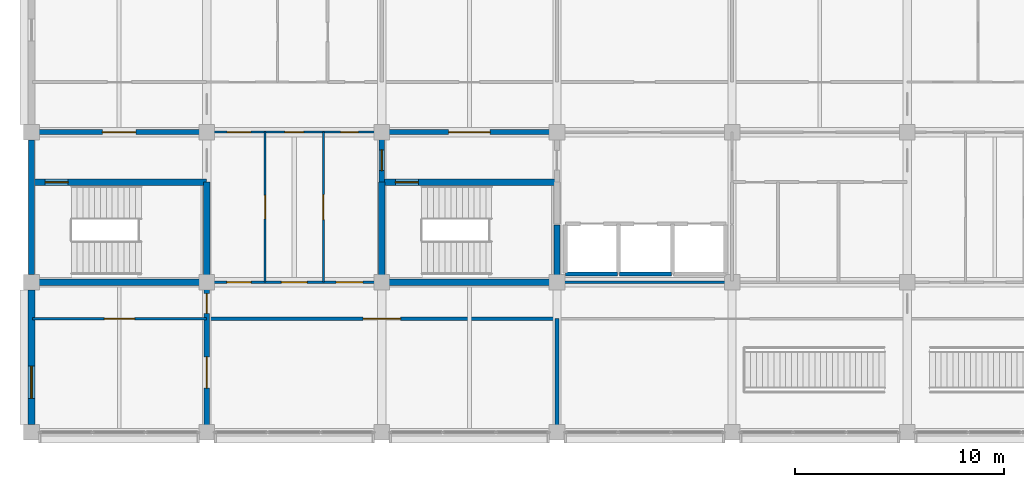
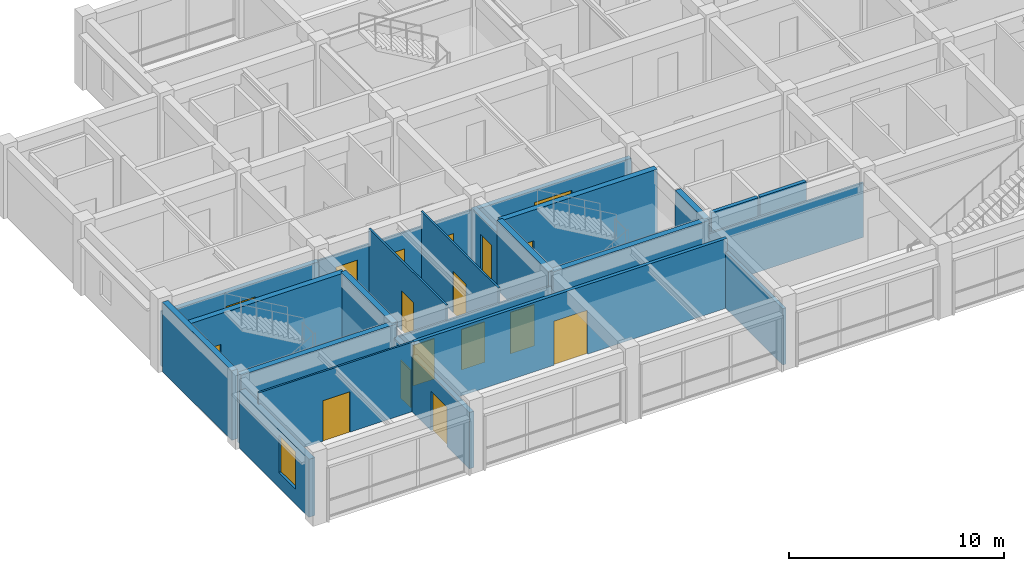
# One storey, part 14 of 27: 23 walls, 17 doors, 1 window, 18 openings.
"""IFC4 building model written with IfcOpenShell, lengths in metres."""

from ifc_helpers import new_model, si_unit, direction, frame, frame_2d, origin, place, context, subcontext, project, spatial, rectangle, extrude, material, layer, layer_set, type_object, element, fill, save


model = new_model("IFC4")

# Units and contexts
model_context = context("Model", 3, precision=1e-05, world=origin(), true_north=direction((0.0, 1.0)))
body_context = subcontext(model_context, "Body", "Model", "MODEL_VIEW")
ifc_project = project(units=[si_unit("LENGTHUNIT", "METRE"), si_unit("AREAUNIT", "SQUARE_METRE"), si_unit("VOLUMEUNIT", "CUBIC_METRE"), si_unit("PLANEANGLEUNIT", "RADIAN"), si_unit("MASSUNIT", "GRAM", prefix="KILO")], contexts=[model_context])

# Site, building, storey
site_placement = place(None, origin())
site = spatial("IfcSite", under=ifc_project, at=site_placement, CompositionType="ELEMENT")
building_placement = place(site_placement, origin())
building = spatial("IfcBuilding", under=site, at=building_placement, Name="Chengyuan Square Courthouse", CompositionType="ELEMENT")
storey_placement = place(building_placement, frame((0.0, 0.0, 39.300048828125)))
storey = spatial("IfcBuildingStorey", under=building, at=storey_placement, Name="L09", CompositionType="ELEMENT", Elevation=39.300048828125)

# Wall, opening, window
ifc_material_1 = material(Name="Concrete C40", Category="concrete")
ifc_layer_1 = layer(ifc_material_1, 0.320068359375)
ifc_layer_set_1 = layer_set([ifc_layer_1], Name="Concrete C40")
wall_type_1 = type_object("IfcWallType", Name="WL-EW3", PredefinedType="STANDARD", material=ifc_layer_set_1)
wall_1_placement = place(storey_placement, frame((42.0, 79.570068359375, 0.0), z_axis=(0.0, 0.0, 1.0), x_axis=(0.0, 1.0, 0.0)))
wall_1 = element("IfcWall", 1, at=wall_1_placement, inside=storey, type_object=wall_type_1, Name="Exterior Wall WL-L09-E412", PredefinedType="STANDARD", context=body_context, shape_type="SweptSolid", body=[
    extrude(rectangle(XDim=6.4599609375, YDim=0.320068359375, at=frame_2d((3.22998046875, 0.0))), origin(), (0.0, 0.0, 1.0), 3.300048828125),
])
opening_1_placement = place(wall_1_placement, frame((1.2548828125, 0.0, 0.85009765625)))
opening_1 = element("IfcOpeningElement", 2, at=opening_1_placement, cuts=wall_1, Name="Opening WN-160", PredefinedType="OPENING", context=body_context, shape_type="SweptSolid", body=[
    extrude(rectangle(XDim=1.550048828125, YDim=2.1201171875, at=frame_2d((0.77490234375, 1.06005859375))), frame((0.0, 0.172119140625, 0.0), z_axis=(0.0, -1.0, 0.0), x_axis=(1.0, 0.0, 0.0)), (0.0, 0.0, 1.0), 0.343994140625),
])
ifc_material_2 = material(Name="Thermally Broken Aluminium Triple Low-E Window", Category="aluminium")
window_type = type_object("IfcWindowType", Name="WT-30", PartitioningType="SINGLE_PANEL", PredefinedType="WINDOW", material=ifc_material_2)
window_placement = place(opening_1_placement, origin())
window = element("IfcWindow", 3, at=window_placement, inside=storey, type_object=window_type, Name="Facade Window WN-160", OverallHeight=2.1201171875, OverallWidth=1.550048828125, PartitioningType="SINGLE_PANEL", PredefinedType="WINDOW", context=body_context, shape_type="SweptSolid", body=[
    extrude(rectangle(XDim=1.550048828125, YDim=2.1201171875, at=frame_2d((0.77490234375, 1.06005859375))), frame((0.0, 0.030029296875, 0.0), z_axis=(0.0, -1.0, 0.0), x_axis=(1.0, 0.0, 0.0)), (0.0, 0.0, 1.0), 0.06005859375),
])
fill(opening_1, window)

# Wall, opening, door
ifc_layer_2 = layer(ifc_material_1, 0.25)
ifc_layer_set_2 = layer_set([ifc_layer_2], Name="Concrete C40")
wall_type_2 = type_object("IfcWallType", Name="WL-FW1", PredefinedType="STANDARD", material=ifc_layer_set_2)
wall_2_placement = place(storey_placement, frame((42.0400390625, 93.60009765625, 0.0), z_axis=(0.0, 0.0, 1.0), x_axis=(1.0, 0.0, 0.0)))
wall_2 = element("IfcWall", 4, at=wall_2_placement, inside=storey, type_object=wall_type_2, Name="Interior Wall WL-L09-I3112", PredefinedType="STANDARD", context=body_context, shape_type="SweptSolid", body=[
    extrude(rectangle(XDim=8.35986328125, YDim=0.25, at=frame_2d((4.179931640625, 0.0))), origin(), (0.0, 0.0, 1.0), 3.099853515625),
])
opening_2_placement = place(wall_2_placement, frame((3.360107421875, 0.0, 0.0)))
opening_2 = element("IfcOpeningElement", 5, at=opening_2_placement, cuts=wall_2, Name="Opening DR-2651", PredefinedType="OPENING", context=body_context, shape_type="SweptSolid", body=[
    extrude(rectangle(XDim=1.60009765625, YDim=2.300048828125, at=frame_2d((0.800048828125, 1.14990234375))), frame((0.0, 0.136962890625, 0.0), z_axis=(0.0, -1.0, 0.0), x_axis=(1.0, 0.0, 0.0)), (0.0, 0.0, 1.0), 0.27392578125),
])
ifc_material_3 = material(Name="Steel Q235B Glazed Fire Door", Category="steel")
door_type_1 = type_object("IfcDoorType", Name="DT-17", OperationType="DOUBLE_DOOR_SINGLE_SWING", PredefinedType="DOOR", material=ifc_material_3)
door_1_placement = place(opening_2_placement, frame((1.60009765625, 0.0, 0.0), z_axis=(0.0, 0.0, 1.0), x_axis=(-1.0, 0.0, 0.0)))
door_1 = element("IfcDoor", 6, at=door_1_placement, inside=storey, type_object=door_type_1, Name="Interior Door DR-2651", OperationType="DOUBLE_DOOR_SINGLE_SWING", OverallHeight=2.300048828125, OverallWidth=1.60009765625, PredefinedType="DOOR", context=body_context, shape_type="SweptSolid", body=[
    extrude(rectangle(XDim=1.60009765625, YDim=2.300048828125, at=frame_2d((0.800048828125, 1.14990234375))), frame((0.0, 0.02490234375, 0.0), z_axis=(0.0, -1.0, 0.0), x_axis=(1.0, 0.0, 0.0)), (0.0, 0.0, 1.0), 0.050048828125),
])
fill(opening_2, door_1)

wall_3_placement = place(storey_placement, frame((58.800048828125, 93.60009765625, 0.0), z_axis=(0.0, 0.0, 1.0), x_axis=(1.0, 0.0, 0.0)))
wall_3 = element("IfcWall", 7, at=wall_3_placement, inside=storey, type_object=wall_type_2, Name="Interior Wall WL-L09-I3114", PredefinedType="STANDARD", context=body_context, shape_type="SweptSolid", body=[
    extrude(rectangle(XDim=8.39990234375, YDim=0.25, at=frame_2d((4.199951171875, 0.0))), origin(), (0.0, 0.0, 1.0), 3.099853515625),
])
opening_3_placement = place(wall_3_placement, frame((3.199951171875, 0.0, 0.0)))
opening_3 = element("IfcOpeningElement", 8, at=opening_3_placement, cuts=wall_3, Name="Opening DR-2646", PredefinedType="OPENING", context=body_context, shape_type="SweptSolid", body=[
    extrude(rectangle(XDim=2.0, YDim=2.39990234375, at=frame_2d((1.0, 1.199951171875))), frame((0.0, 0.136962890625, 0.0), z_axis=(0.0, -1.0, 0.0), x_axis=(1.0, 0.0, 0.0)), (0.0, 0.0, 1.0), 0.27392578125),
])
door_type_2 = type_object("IfcDoorType", Name="DT-20", OperationType="DOUBLE_DOOR_SINGLE_SWING", PredefinedType="DOOR", material=ifc_material_3)
door_2_placement = place(opening_3_placement, frame((2.0, 0.0, 0.0), z_axis=(0.0, 0.0, 1.0), x_axis=(-1.0, 0.0, 0.0)))
door_2 = element("IfcDoor", 9, at=door_2_placement, inside=storey, type_object=door_type_2, Name="Interior Door DR-2646", OperationType="DOUBLE_DOOR_SINGLE_SWING", OverallHeight=2.39990234375, OverallWidth=2.0, PredefinedType="DOOR", context=body_context, shape_type="SweptSolid", body=[
    extrude(rectangle(XDim=2.0, YDim=2.39990234375, at=frame_2d((1.0, 1.199951171875))), frame((0.0, 0.02490234375, 0.0), z_axis=(0.0, -1.0, 0.0), x_axis=(1.0, 0.0, 0.0)), (0.0, 0.0, 1.0), 0.050048828125),
])
fill(opening_3, door_2)

# Wall, openings, doors
wall_4_placement = place(storey_placement, frame((50.39990234375, 79.239990234375, 0.0), z_axis=(0.0, 0.0, 1.0), x_axis=(0.0, 1.0, 0.0)))
wall_4 = element("IfcWall", 10, at=wall_4_placement, inside=storey, type_object=wall_type_2, Name="Interior Wall WL-L09-I3193", PredefinedType="STANDARD", context=body_context, shape_type="SweptSolid", body=[
    extrude(rectangle(XDim=7.159912109375, YDim=0.25, at=frame_2d((3.580078125, 0.0))), origin(), (0.0, 0.0, 1.0), 3.199951171875),
])
opening_4_placement = place(wall_4_placement, frame((5.66259765625, 0.0, 0.0)))
opening_4 = element("IfcOpeningElement", 11, at=opening_4_placement, cuts=wall_4, Name="Opening DR-2760", PredefinedType="OPENING", context=body_context, shape_type="SweptSolid", body=[
    extrude(rectangle(XDim=0.949951171875, YDim=2.14990234375, at=frame_2d((0.47509765625, 1.074951171875))), frame((0.0, 0.136962890625, 0.0), z_axis=(0.0, -1.0, 0.0), x_axis=(1.0, 0.0, 0.0)), (0.0, 0.0, 1.0), 0.27392578125),
])
opening_5_placement = place(wall_4_placement, frame((2.08251953125, 0.0, 0.0)))
opening_5 = element("IfcOpeningElement", 12, at=opening_5_placement, cuts=wall_4, Name="Opening DR-2769", PredefinedType="OPENING", context=body_context, shape_type="SweptSolid", body=[
    extrude(rectangle(XDim=1.5, YDim=2.25, at=frame_2d((0.75, 1.125))), frame((0.0, 0.136962890625, 0.0), z_axis=(0.0, -1.0, 0.0), x_axis=(1.0, 0.0, 0.0)), (0.0, 0.0, 1.0), 0.27392578125),
])
ifc_material_4 = material(Name="Steel Q235B Fire Door", Category="steel")
door_type_3 = type_object("IfcDoorType", Name="DT-12", OperationType="NOTDEFINED", PredefinedType="DOOR", material=ifc_material_4)
door_3_placement = place(opening_4_placement, origin())
door_3 = element("IfcDoor", 13, at=door_3_placement, inside=storey, type_object=door_type_3, Name="Interior Door DR-2760", OperationType="SINGLE_SWING_RIGHT", OverallHeight=2.14990234375, OverallWidth=0.949951171875, PredefinedType="DOOR", context=body_context, shape_type="SweptSolid", body=[
    extrude(rectangle(XDim=0.949951171875, YDim=2.14990234375, at=frame_2d((0.47509765625, 1.074951171875))), frame((0.0, 0.02490234375, 0.0), z_axis=(0.0, -1.0, 0.0), x_axis=(1.0, 0.0, 0.0)), (0.0, 0.0, 1.0), 0.050048828125),
])
fill(opening_4, door_3)
door_type_4 = type_object("IfcDoorType", Name="DT-19", OperationType="DOUBLE_DOOR_SINGLE_SWING", PredefinedType="DOOR", material=ifc_material_3)
door_4_placement = place(opening_5_placement, frame((1.5, 0.0, 0.0), z_axis=(0.0, 0.0, 1.0), x_axis=(-1.0, 0.0, 0.0)))
door_4 = element("IfcDoor", 14, at=door_4_placement, inside=storey, type_object=door_type_4, Name="Interior Door DR-2769", OperationType="DOUBLE_DOOR_SINGLE_SWING", OverallHeight=2.25, OverallWidth=1.5, PredefinedType="DOOR", context=body_context, shape_type="SweptSolid", body=[
    extrude(rectangle(XDim=1.5, YDim=2.25, at=frame_2d((0.75, 1.125))), frame((0.0, 0.02490234375, 0.0), z_axis=(0.0, -1.0, 0.0), x_axis=(1.0, 0.0, 0.0)), (0.0, 0.0, 1.0), 0.050048828125),
])
fill(opening_5, door_4)

# Wall, opening, door
wall_5_placement = place(storey_placement, frame((58.800048828125, 91.199951171875, 0.0), z_axis=(0.0, 0.0, 1.0), x_axis=(0.0, 1.0, 0.0)))
wall_5 = element("IfcWall", 15, at=wall_5_placement, inside=storey, type_object=wall_type_2, Name="Interior Wall WL-L09-I3206", PredefinedType="STANDARD", context=body_context, shape_type="SweptSolid", body=[
    extrude(rectangle(XDim=2.400146484375, YDim=0.25, at=frame_2d((1.2001953125, 0.0))), origin(), (0.0, 0.0, 1.0), 3.199951171875),
])
opening_6_placement = place(wall_5_placement, frame((0.552490234375, 0.0, 0.0)))
opening_6 = element("IfcOpeningElement", 16, at=opening_6_placement, cuts=wall_5, Name="Opening DR-2647", PredefinedType="OPENING", context=body_context, shape_type="SweptSolid", body=[
    extrude(rectangle(XDim=1.0, YDim=2.199951171875, at=frame_2d((0.5, 1.10009765625))), frame((0.0, 0.136962890625, 0.0), z_axis=(0.0, -1.0, 0.0), x_axis=(1.0, 0.0, 0.0)), (0.0, 0.0, 1.0), 0.27392578125),
])
door_type_5 = type_object("IfcDoorType", Name="DT-11", OperationType="NOTDEFINED", PredefinedType="DOOR", material=ifc_material_4)
door_5_placement = place(opening_6_placement, origin())
door_5 = element("IfcDoor", 17, at=door_5_placement, inside=storey, type_object=door_type_5, Name="Interior Door DR-2647", OperationType="SINGLE_SWING_LEFT", OverallHeight=2.199951171875, OverallWidth=1.0, PredefinedType="DOOR", context=body_context, shape_type="SweptSolid", body=[
    extrude(rectangle(XDim=1.0, YDim=2.199951171875, at=frame_2d((0.5, 1.10009765625))), frame((0.0, 0.02490234375, 0.0), z_axis=(0.0, -1.0, 0.0), x_axis=(1.0, 0.0, 0.0)), (0.0, 0.0, 1.0), 0.050048828125),
])
fill(opening_6, door_5)

ifc_material_5 = material(Name="Double-Stud Acoustic Gypsum Courtroom Partition")
ifc_layer_3 = layer(ifc_material_5, 0.179931640625)
ifc_layer_set_3 = layer_set([ifc_layer_3], Name="Double-Stud Acoustic Gypsum Courtroom Partition")
wall_type_3 = type_object("IfcWallType", Name="WL-PT1", PredefinedType="STANDARD", material=ifc_layer_set_3)
wall_6_placement = place(storey_placement, frame((50.39990234375, 84.64990234375, 0.0), z_axis=(0.0, 0.0, 1.0), x_axis=(1.0, 0.0, 0.0)))
wall_6 = element("IfcWall", 18, at=wall_6_placement, inside=storey, type_object=wall_type_3, Name="Interior Wall WL-L09-I3085", PredefinedType="STANDARD", context=body_context, shape_type="SweptSolid", body=[
    extrude(rectangle(XDim=16.800048828125, YDim=0.179931640625, at=frame_2d((8.39990234375, 0.0))), origin(), (0.0, 0.0, 1.0), 3.949951171875),
])
opening_7_placement = place(wall_6_placement, frame((7.5, 0.0, 0.0)))
opening_7 = element("IfcOpeningElement", 19, at=opening_7_placement, cuts=wall_6, Name="Opening DR-2763", PredefinedType="OPENING", context=body_context, shape_type="SweptSolid", body=[
    extrude(rectangle(XDim=1.800048828125, YDim=2.5, at=frame_2d((0.89990234375, 1.25))), frame((0.0, 0.10205078125, 0.0), z_axis=(0.0, -1.0, 0.0), x_axis=(1.0, 0.0, 0.0)), (0.0, 0.0, 1.0), 0.203857421875),
])
ifc_material_6 = material(Name="Acoustic Larch Veneer Double Door")
door_type_6 = type_object("IfcDoorType", Name="DT-21", OperationType="DOUBLE_DOOR_SINGLE_SWING", PredefinedType="DOOR", material=ifc_material_6)
door_6_placement = place(opening_7_placement, frame((1.800048828125, 0.0, 0.0), z_axis=(0.0, 0.0, 1.0), x_axis=(-1.0, 0.0, 0.0)))
door_6 = element("IfcDoor", 20, at=door_6_placement, inside=storey, type_object=door_type_6, Name="Interior Door DR-2763", OperationType="DOUBLE_DOOR_SINGLE_SWING", OverallHeight=2.5, OverallWidth=1.800048828125, PredefinedType="DOOR", context=body_context, shape_type="SweptSolid", body=[
    extrude(rectangle(XDim=1.800048828125, YDim=2.5, at=frame_2d((0.89990234375, 1.25))), frame((0.0, 0.02490234375, 0.0), z_axis=(0.0, -1.0, 0.0), x_axis=(1.0, 0.0, 0.0)), (0.0, 0.0, 1.0), 0.050048828125),
])
fill(opening_7, door_6)

# Wall
wall_7_placement = place(storey_placement, frame((67.199951171875, 79.239990234375, 0.0), z_axis=(0.0, 0.0, 1.0), x_axis=(0.0, 1.0, 0.0)))
element("IfcWall", 21, at=wall_7_placement, inside=storey, type_object=wall_type_3, Name="Interior Wall WL-L09-I3211", PredefinedType="STANDARD", context=body_context, shape_type="SweptSolid", body=[
    extrude(rectangle(XDim=5.409912109375, YDim=0.179931640625, at=frame_2d((2.705078125, 0.0))), origin(), (0.0, 0.0, 1.0), 3.199951171875),
])

# Wall, opening, door
ifc_material_7 = material(Name="Gypsum Plasterboard Acoustic Stud Partition")
ifc_layer_4 = layer(ifc_material_7, 0.10009765625)
ifc_layer_set_4 = layer_set([ifc_layer_4], Name="Gypsum Plasterboard Acoustic Stud Partition")
wall_type_4 = type_object("IfcWallType", Name="WL-PT6", PredefinedType="STANDARD", material=ifc_layer_set_4)
wall_8_placement = place(storey_placement, frame((42.0400390625, 84.64990234375, 0.0), z_axis=(0.0, 0.0, 1.0), x_axis=(1.0, 0.0, 0.0)))
wall_8 = element("IfcWall", 22, at=wall_8_placement, inside=storey, type_object=wall_type_4, Name="Interior Wall WL-L09-I3084", PredefinedType="STANDARD", context=body_context, shape_type="SweptSolid", body=[
    extrude(rectangle(XDim=8.35986328125, YDim=0.10009765625, at=frame_2d((4.179931640625, 0.0))), origin(), (0.0, 0.0, 1.0), 3.949951171875),
])
opening_8_placement = place(wall_8_placement, frame((3.455078125, 0.0, 0.0)))
opening_8 = element("IfcOpeningElement", 23, at=opening_8_placement, cuts=wall_8, Name="Opening DR-2761", PredefinedType="OPENING", context=body_context, shape_type="SweptSolid", body=[
    extrude(rectangle(XDim=1.449951171875, YDim=2.300048828125, at=frame_2d((0.72509765625, 1.14990234375))), frame((0.0, 0.06201171875, 0.0), z_axis=(0.0, -1.0, 0.0), x_axis=(1.0, 0.0, 0.0)), (0.0, 0.0, 1.0), 0.1240234375),
])
door_type_7 = type_object("IfcDoorType", Name="DT-25", OperationType="DOUBLE_DOOR_SINGLE_SWING", PredefinedType="DOOR", material=ifc_material_6)
door_7_placement = place(opening_8_placement, frame((1.449951171875, 0.0, 0.0), z_axis=(0.0, 0.0, 1.0), x_axis=(-1.0, 0.0, 0.0)))
door_7 = element("IfcDoor", 24, at=door_7_placement, inside=storey, type_object=door_type_7, Name="Interior Door DR-2761", OperationType="DOUBLE_DOOR_SINGLE_SWING", OverallHeight=2.300048828125, OverallWidth=1.449951171875, PredefinedType="DOOR", context=body_context, shape_type="SweptSolid", body=[
    extrude(rectangle(XDim=1.449951171875, YDim=2.300048828125, at=frame_2d((0.72509765625, 1.14990234375))), frame((0.0, 0.02490234375, 0.0), z_axis=(0.0, -1.0, 0.0), x_axis=(1.0, 0.0, 0.0)), (0.0, 0.0, 1.0), 0.050048828125),
])
fill(opening_8, door_7)

# Wall, openings, doors
wall_9_placement = place(storey_placement, frame((50.39990234375, 86.39990234375, 0.0), z_axis=(0.0, 0.0, 1.0), x_axis=(1.0, 0.0, 0.0)))
wall_9 = element("IfcWall", 25, at=wall_9_placement, inside=storey, type_object=wall_type_4, Name="Interior Wall WL-L09-I3090", PredefinedType="STANDARD", context=body_context, shape_type="SweptSolid", body=[
    extrude(rectangle(XDim=8.400146484375, YDim=0.10009765625, at=frame_2d((4.2001953125, 0.0))), origin(), (0.0, 0.0, 1.0), 3.099853515625),
])
opening_9_placement = place(wall_9_placement, frame((0.967529296875, 0.0, 0.0)))
opening_9 = element("IfcOpeningElement", 26, at=opening_9_placement, cuts=wall_9, Name="Opening DR-2736", PredefinedType="OPENING", context=body_context, shape_type="SweptSolid", body=[
    extrude(rectangle(XDim=1.159912109375, YDim=2.300048828125, at=frame_2d((0.580078125, 1.14990234375))), frame((0.0, 0.06201171875, 0.0), z_axis=(0.0, -1.0, 0.0), x_axis=(1.0, 0.0, 0.0)), (0.0, 0.0, 1.0), 0.1240234375),
])
opening_10_placement = place(wall_9_placement, frame((3.580078125, 0.0, 0.0)))
opening_10 = element("IfcOpeningElement", 27, at=opening_10_placement, cuts=wall_9, Name="Opening DR-2738", PredefinedType="OPENING", context=body_context, shape_type="SweptSolid", body=[
    extrude(rectangle(XDim=1.239990234375, YDim=2.300048828125, at=frame_2d((0.6201171875, 1.14990234375))), frame((0.0, 0.06201171875, 0.0), z_axis=(0.0, -1.0, 0.0), x_axis=(1.0, 0.0, 0.0)), (0.0, 0.0, 1.0), 0.1240234375),
])
opening_11_placement = place(wall_9_placement, frame((6.21240234375, 0.0, 0.0)))
opening_11 = element("IfcOpeningElement", 28, at=opening_11_placement, cuts=wall_9, Name="Opening DR-2739", PredefinedType="OPENING", context=body_context, shape_type="SweptSolid", body=[
    extrude(rectangle(XDim=1.280029296875, YDim=2.35009765625, at=frame_2d((0.64013671875, 1.175048828125))), frame((0.0, 0.06201171875, 0.0), z_axis=(0.0, -1.0, 0.0), x_axis=(1.0, 0.0, 0.0)), (0.0, 0.0, 1.0), 0.1240234375),
])
ifc_material_8 = material(Name="Acoustic Solid-Core Timber Door", Category="wood")
door_type_8 = type_object("IfcDoorType", Name="DT-35", OperationType="NOTDEFINED", PredefinedType="DOOR", material=ifc_material_8)
door_8_placement = place(opening_9_placement, origin())
door_8 = element("IfcDoor", 29, at=door_8_placement, inside=storey, type_object=door_type_8, Name="Interior Door DR-2736", OperationType="SINGLE_SWING_LEFT", OverallHeight=2.300048828125, OverallWidth=1.159912109375, PredefinedType="DOOR", context=body_context, shape_type="SweptSolid", body=[
    extrude(rectangle(XDim=1.159912109375, YDim=2.300048828125, at=frame_2d((0.580078125, 1.14990234375))), frame((0.0, 0.02490234375, 0.0), z_axis=(0.0, -1.0, 0.0), x_axis=(1.0, 0.0, 0.0)), (0.0, 0.0, 1.0), 0.050048828125),
])
fill(opening_9, door_8)
door_type_9 = type_object("IfcDoorType", Name="DT-37", OperationType="NOTDEFINED", PredefinedType="DOOR", material=ifc_material_8)
door_9_placement = place(opening_10_placement, origin())
door_9 = element("IfcDoor", 30, at=door_9_placement, inside=storey, type_object=door_type_9, Name="Interior Door DR-2738", OperationType="SINGLE_SWING_LEFT", OverallHeight=2.300048828125, OverallWidth=1.239990234375, PredefinedType="DOOR", context=body_context, shape_type="SweptSolid", body=[
    extrude(rectangle(XDim=1.239990234375, YDim=2.300048828125, at=frame_2d((0.6201171875, 1.14990234375))), frame((0.0, 0.02490234375, 0.0), z_axis=(0.0, -1.0, 0.0), x_axis=(1.0, 0.0, 0.0)), (0.0, 0.0, 1.0), 0.050048828125),
])
fill(opening_10, door_9)
door_type_10 = type_object("IfcDoorType", Name="DT-38", OperationType="NOTDEFINED", PredefinedType="DOOR", material=ifc_material_8)
door_10_placement = place(opening_11_placement, origin())
door_10 = element("IfcDoor", 31, at=door_10_placement, inside=storey, type_object=door_type_10, Name="Interior Door DR-2739", OperationType="SINGLE_SWING_RIGHT", OverallHeight=2.35009765625, OverallWidth=1.280029296875, PredefinedType="DOOR", context=body_context, shape_type="SweptSolid", body=[
    extrude(rectangle(XDim=1.280029296875, YDim=2.35009765625, at=frame_2d((0.64013671875, 1.175048828125))), frame((0.0, 0.02490234375, 0.0), z_axis=(0.0, -1.0, 0.0), x_axis=(1.0, 0.0, 0.0)), (0.0, 0.0, 1.0), 0.050048828125),
])
fill(opening_11, door_10)

# Wall
wall_10_placement = place(storey_placement, frame((67.25, 86.39990234375, 0.0), z_axis=(0.0, 0.0, 1.0), x_axis=(1.0, 0.0, 0.0)))
element("IfcWall", 32, at=wall_10_placement, inside=storey, type_object=wall_type_4, Name="Interior Wall WL-L09-I3092", PredefinedType="STANDARD", context=body_context, shape_type="SweptSolid", body=[
    extrude(rectangle(XDim=8.300048828125, YDim=0.10009765625, at=frame_2d((4.14990234375, 0.0))), origin(), (0.0, 0.0, 1.0), 3.099853515625),
])

# Wall, openings, doors
wall_11_placement = place(storey_placement, frame((50.39990234375, 93.60009765625, 0.0), z_axis=(0.0, 0.0, 1.0), x_axis=(1.0, 0.0, 0.0)))
wall_11 = element("IfcWall", 33, at=wall_11_placement, inside=storey, type_object=wall_type_4, Name="Interior Wall WL-L09-I3113", PredefinedType="STANDARD", context=body_context, shape_type="SweptSolid", body=[
    extrude(rectangle(XDim=8.400146484375, YDim=0.10009765625, at=frame_2d((4.2001953125, 0.0))), origin(), (0.0, 0.0, 1.0), 3.099853515625),
])
opening_12_placement = place(wall_11_placement, frame((0.9775390625, 0.0, 0.0)))
opening_12 = element("IfcOpeningElement", 34, at=opening_12_placement, cuts=wall_11, Name="Opening DR-2710", PredefinedType="OPENING", context=body_context, shape_type="SweptSolid", body=[
    extrude(rectangle(XDim=1.139892578125, YDim=2.39990234375, at=frame_2d((0.56982421875, 1.199951171875))), frame((0.0, 0.06201171875, 0.0), z_axis=(0.0, -1.0, 0.0), x_axis=(1.0, 0.0, 0.0)), (0.0, 0.0, 1.0), 0.1240234375),
])
opening_13_placement = place(wall_11_placement, frame((3.75, 0.0, 0.0)))
opening_13 = element("IfcOpeningElement", 35, at=opening_13_placement, cuts=wall_11, Name="Opening DR-2711", PredefinedType="OPENING", context=body_context, shape_type="SweptSolid", body=[
    extrude(rectangle(XDim=0.89990234375, YDim=2.14990234375, at=frame_2d((0.449951171875, 1.074951171875))), frame((0.0, 0.06201171875, 0.0), z_axis=(0.0, -1.0, 0.0), x_axis=(1.0, 0.0, 0.0)), (0.0, 0.0, 1.0), 0.1240234375),
])
opening_14_placement = place(wall_11_placement, frame((6.422607421875, 0.0, 0.0)))
opening_14 = element("IfcOpeningElement", 36, at=opening_14_placement, cuts=wall_11, Name="Opening DR-2712", PredefinedType="OPENING", context=body_context, shape_type="SweptSolid", body=[
    extrude(rectangle(XDim=0.860107421875, YDim=2.10009765625, at=frame_2d((0.43017578125, 1.050048828125))), frame((0.0, 0.06201171875, 0.0), z_axis=(0.0, -1.0, 0.0), x_axis=(1.0, 0.0, 0.0)), (0.0, 0.0, 1.0), 0.1240234375),
])
door_type_11 = type_object("IfcDoorType", Name="DT-27", OperationType="NOTDEFINED", PredefinedType="DOOR", material=ifc_material_8)
door_11_placement = place(opening_13_placement, origin())
door_11 = element("IfcDoor", 37, at=door_11_placement, inside=storey, type_object=door_type_11, Name="Interior Door DR-2711", OperationType="SINGLE_SWING_RIGHT", OverallHeight=2.14990234375, OverallWidth=0.89990234375, PredefinedType="DOOR", context=body_context, shape_type="SweptSolid", body=[
    extrude(rectangle(XDim=0.89990234375, YDim=2.14990234375, at=frame_2d((0.449951171875, 1.074951171875))), frame((0.0, 0.02490234375, 0.0), z_axis=(0.0, -1.0, 0.0), x_axis=(1.0, 0.0, 0.0)), (0.0, 0.0, 1.0), 0.050048828125),
])
fill(opening_13, door_11)
door_type_12 = type_object("IfcDoorType", Name="DT-28", OperationType="NOTDEFINED", PredefinedType="DOOR", material=ifc_material_8)
door_12_placement = place(opening_14_placement, origin())
door_12 = element("IfcDoor", 38, at=door_12_placement, inside=storey, type_object=door_type_12, Name="Interior Door DR-2712", OperationType="SINGLE_SWING_LEFT", OverallHeight=2.10009765625, OverallWidth=0.860107421875, PredefinedType="DOOR", context=body_context, shape_type="SweptSolid", body=[
    extrude(rectangle(XDim=0.860107421875, YDim=2.10009765625, at=frame_2d((0.43017578125, 1.050048828125))), frame((0.0, 0.02490234375, 0.0), z_axis=(0.0, -1.0, 0.0), x_axis=(1.0, 0.0, 0.0)), (0.0, 0.0, 1.0), 0.050048828125),
])
fill(opening_14, door_12)
door_type_13 = type_object("IfcDoorType", Name="DT-43", OperationType="NOTDEFINED", PredefinedType="DOOR", material=ifc_material_8)
door_13_placement = place(opening_12_placement, origin())
door_13 = element("IfcDoor", 39, at=door_13_placement, inside=storey, type_object=door_type_13, Name="Interior Door DR-2710", OperationType="SINGLE_SWING_LEFT", OverallHeight=2.39990234375, OverallWidth=1.139892578125, PredefinedType="DOOR", context=body_context, shape_type="SweptSolid", body=[
    extrude(rectangle(XDim=1.139892578125, YDim=2.39990234375, at=frame_2d((0.56982421875, 1.199951171875))), frame((0.0, 0.02490234375, 0.0), z_axis=(0.0, -1.0, 0.0), x_axis=(1.0, 0.0, 0.0)), (0.0, 0.0, 1.0), 0.050048828125),
])
fill(opening_12, door_13)

# Wall, opening, door
wall_12_placement = place(storey_placement, frame((53.199951171875, 86.39990234375, 0.0), z_axis=(0.0, 0.0, 1.0), x_axis=(0.0, 1.0, 0.0)))
wall_12 = element("IfcWall", 40, at=wall_12_placement, inside=storey, type_object=wall_type_4, Name="Interior Wall WL-L09-I3198", PredefinedType="STANDARD", context=body_context, shape_type="SweptSolid", body=[
    extrude(rectangle(XDim=7.2001953125, YDim=0.10009765625, at=frame_2d((3.60009765625, 0.0))), origin(), (0.0, 0.0, 1.0), 3.949951171875),
])
opening_15_placement = place(wall_12_placement, frame((3.0400390625, 0.0, 0.0)))
opening_15 = element("IfcOpeningElement", 41, at=opening_15_placement, cuts=wall_12, Name="Opening DR-2735", PredefinedType="OPENING", context=body_context, shape_type="SweptSolid", body=[
    extrude(rectangle(XDim=1.1201171875, YDim=2.25, at=frame_2d((0.56005859375, 1.125))), frame((0.0, 0.06201171875, 0.0), z_axis=(0.0, -1.0, 0.0), x_axis=(1.0, 0.0, 0.0)), (0.0, 0.0, 1.0), 0.1240234375),
])
door_type_14 = type_object("IfcDoorType", Name="DT-34", OperationType="NOTDEFINED", PredefinedType="DOOR", material=ifc_material_8)
door_14_placement = place(opening_15_placement, origin())
door_14 = element("IfcDoor", 42, at=door_14_placement, inside=storey, type_object=door_type_14, Name="Interior Door DR-2735", OperationType="SINGLE_SWING_RIGHT", OverallHeight=2.25, OverallWidth=1.1201171875, PredefinedType="DOOR", context=body_context, shape_type="SweptSolid", body=[
    extrude(rectangle(XDim=1.1201171875, YDim=2.25, at=frame_2d((0.56005859375, 1.125))), frame((0.0, 0.02490234375, 0.0), z_axis=(0.0, -1.0, 0.0), x_axis=(1.0, 0.0, 0.0)), (0.0, 0.0, 1.0), 0.050048828125),
])
fill(opening_15, door_14)

wall_13_placement = place(storey_placement, frame((56.0, 86.39990234375, 0.0), z_axis=(0.0, 0.0, 1.0), x_axis=(0.0, 1.0, 0.0)))
wall_13 = element("IfcWall", 43, at=wall_13_placement, inside=storey, type_object=wall_type_4, Name="Interior Wall WL-L09-I3203", PredefinedType="STANDARD", context=body_context, shape_type="SweptSolid", body=[
    extrude(rectangle(XDim=7.2001953125, YDim=0.10009765625, at=frame_2d((3.60009765625, 0.0))), origin(), (0.0, 0.0, 1.0), 3.949951171875),
])
opening_16_placement = place(wall_13_placement, frame((3.0, 0.0, 0.0)))
opening_16 = element("IfcOpeningElement", 44, at=opening_16_placement, cuts=wall_13, Name="Opening DR-2737", PredefinedType="OPENING", context=body_context, shape_type="SweptSolid", body=[
    extrude(rectangle(XDim=1.199951171875, YDim=2.35009765625, at=frame_2d((0.60009765625, 1.175048828125))), frame((0.0, 0.06201171875, 0.0), z_axis=(0.0, -1.0, 0.0), x_axis=(1.0, 0.0, 0.0)), (0.0, 0.0, 1.0), 0.1240234375),
])
door_type_15 = type_object("IfcDoorType", Name="DT-36", OperationType="NOTDEFINED", PredefinedType="DOOR", material=ifc_material_8)
door_15_placement = place(opening_16_placement, origin())
door_15 = element("IfcDoor", 45, at=door_15_placement, inside=storey, type_object=door_type_15, Name="Interior Door DR-2737", OperationType="SINGLE_SWING_RIGHT", OverallHeight=2.35009765625, OverallWidth=1.199951171875, PredefinedType="DOOR", context=body_context, shape_type="SweptSolid", body=[
    extrude(rectangle(XDim=1.199951171875, YDim=2.35009765625, at=frame_2d((0.60009765625, 1.175048828125))), frame((0.0, 0.02490234375, 0.0), z_axis=(0.0, -1.0, 0.0), x_axis=(1.0, 0.0, 0.0)), (0.0, 0.0, 1.0), 0.050048828125),
])
fill(opening_16, door_15)

# Walls
ifc_material_9 = material(Name="Reinforced Masonry Shaft Enclosure", Category="masonry")
ifc_layer_5 = layer(ifc_material_9, 0.199951171875)
ifc_layer_set_5 = layer_set([ifc_layer_5], Name="Reinforced Masonry Shaft Enclosure")
wall_type_5 = type_object("IfcWallType", Name="WL-SH1", PredefinedType="STANDARD", material=ifc_layer_set_5)
for number, where, z_axis, x_axis, name in (
    (46, (67.60009765625, 86.800048828125, 0.0), (0.0, 0.0, 1.0), (1.0, 0.0, 0.0), "Interior Wall WL-L09-I3099"),
    (47, (70.199951171875, 86.800048828125, 0.0), (0.0, 0.0, 1.0), (1.0, 0.0, 0.0), "Interior Wall WL-L09-I3100"),
):
    element("IfcWall", number, at=place(storey_placement, frame(where, z_axis=z_axis, x_axis=x_axis)), inside=storey, type_object=wall_type_5, Name=name, PredefinedType="STANDARD", context=body_context, shape_type="SweptSolid", body=[
        extrude(rectangle(XDim=2.5, YDim=0.199951171875, at=frame_2d((1.25, 0.0))), origin(), (0.0, 0.0, 1.0), 3.949951171875),
    ])
ifc_layer_6 = layer(ifc_material_1, 0.300048828125)
ifc_layer_set_6 = layer_set([ifc_layer_6], Name="Concrete C40")
wall_type_6 = type_object("IfcWallType", Name="WL-SW2", PredefinedType="SHEAR", material=ifc_layer_set_6)
wall_14_placement = place(storey_placement, frame((42.0, 86.77001953125, 0.0), z_axis=(0.0, 0.0, 1.0), x_axis=(0.0, 1.0, 0.0)))
element("IfcWall", 48, at=wall_14_placement, inside=storey, type_object=wall_type_6, Name="Exterior Wall WL-L09-E413", PredefinedType="SHEAR", context=body_context, shape_type="SweptSolid", body=[
    extrude(rectangle(XDim=6.4599609375, YDim=0.300048828125, at=frame_2d((3.22998046875, 0.0))), origin(), (0.0, 0.0, 1.0), 3.949951171875),
])
wall_15_placement = place(storey_placement, frame((42.0400390625, 86.39990234375, 0.0), z_axis=(0.0, 0.0, 1.0), x_axis=(1.0, 0.0, 0.0)))
element("IfcWall", 49, at=wall_15_placement, inside=storey, type_object=wall_type_6, Name="Interior Wall WL-L09-I3089", PredefinedType="SHEAR", context=body_context, shape_type="SweptSolid", body=[
    extrude(rectangle(XDim=8.35986328125, YDim=0.300048828125, at=frame_2d((4.179931640625, 0.0))), origin(), (0.0, 0.0, 1.0), 3.949951171875),
])
wall_16_placement = place(storey_placement, frame((58.800048828125, 86.39990234375, 0.0), z_axis=(0.0, 0.0, 1.0), x_axis=(1.0, 0.0, 0.0)))
element("IfcWall", 50, at=wall_16_placement, inside=storey, type_object=wall_type_6, Name="Interior Wall WL-L09-I3091", PredefinedType="SHEAR", context=body_context, shape_type="SweptSolid", body=[
    extrude(rectangle(XDim=8.39990234375, YDim=0.300048828125, at=frame_2d((4.199951171875, 0.0))), origin(), (0.0, 0.0, 1.0), 3.949951171875),
])

# Wall, opening, door
wall_17_placement = place(storey_placement, frame((42.0400390625, 91.199951171875, 0.0), z_axis=(0.0, 0.0, 1.0), x_axis=(1.0, 0.0, 0.0)))
wall_17 = element("IfcWall", 51, at=wall_17_placement, inside=storey, type_object=wall_type_6, Name="Interior Wall WL-L09-I3107", PredefinedType="SHEAR", context=body_context, shape_type="SweptSolid", body=[
    extrude(rectangle(XDim=8.35986328125, YDim=0.300048828125, at=frame_2d((4.179931640625, 0.0))), origin(), (0.0, 0.0, 1.0), 3.949951171875),
])
opening_17_placement = place(wall_17_placement, frame((0.610107421875, 0.0, 0.0)))
opening_17 = element("IfcOpeningElement", 52, at=opening_17_placement, cuts=wall_17, Name="Opening DR-2637", PredefinedType="OPENING", context=body_context, shape_type="SweptSolid", body=[
    extrude(rectangle(XDim=1.10009765625, YDim=2.199951171875, at=frame_2d((0.550048828125, 1.10009765625))), frame((0.0, 0.162109375, 0.0), z_axis=(0.0, -1.0, 0.0), x_axis=(1.0, 0.0, 0.0)), (0.0, 0.0, 1.0), 0.323974609375),
])
door_type_16 = type_object("IfcDoorType", Name="DT-10", OperationType="NOTDEFINED", PredefinedType="DOOR", material=ifc_material_4)
door_16_placement = place(opening_17_placement, frame((1.10009765625, 0.0, 0.0), z_axis=(0.0, 0.0, 1.0), x_axis=(-1.0, 0.0, 0.0)))
door_16 = element("IfcDoor", 53, at=door_16_placement, inside=storey, type_object=door_type_16, Name="Smoke-Proof Stairwell Fire Door ST-5 DR-2637", OperationType="SINGLE_SWING_RIGHT", OverallHeight=2.199951171875, OverallWidth=1.10009765625, PredefinedType="DOOR", context=body_context, shape_type="SweptSolid", body=[
    extrude(rectangle(XDim=1.10009765625, YDim=2.199951171875, at=frame_2d((0.550048828125, 1.10009765625))), frame((0.0, 0.02490234375, 0.0), z_axis=(0.0, -1.0, 0.0), x_axis=(1.0, 0.0, 0.0)), (0.0, 0.0, 1.0), 0.050048828125),
])
fill(opening_17, door_16)

wall_18_placement = place(storey_placement, frame((58.800048828125, 91.199951171875, 0.0), z_axis=(0.0, 0.0, 1.0), x_axis=(1.0, 0.0, 0.0)))
wall_18 = element("IfcWall", 54, at=wall_18_placement, inside=storey, type_object=wall_type_6, Name="Interior Wall WL-L09-I3108", PredefinedType="SHEAR", context=body_context, shape_type="SweptSolid", body=[
    extrude(rectangle(XDim=8.39990234375, YDim=0.300048828125, at=frame_2d((4.199951171875, 0.0))), origin(), (0.0, 0.0, 1.0), 3.949951171875),
])
opening_18_placement = place(wall_18_placement, frame((0.64990234375, 0.0, 0.0)))
opening_18 = element("IfcOpeningElement", 55, at=opening_18_placement, cuts=wall_18, Name="Opening DR-2635", PredefinedType="OPENING", context=body_context, shape_type="SweptSolid", body=[
    extrude(rectangle(XDim=1.10009765625, YDim=2.199951171875, at=frame_2d((0.550048828125, 1.10009765625))), frame((0.0, 0.162109375, 0.0), z_axis=(0.0, -1.0, 0.0), x_axis=(1.0, 0.0, 0.0)), (0.0, 0.0, 1.0), 0.323974609375),
])
door_17_placement = place(opening_18_placement, frame((1.10009765625, 0.0, 0.0), z_axis=(0.0, 0.0, 1.0), x_axis=(-1.0, 0.0, 0.0)))
door_17 = element("IfcDoor", 56, at=door_17_placement, inside=storey, type_object=door_type_16, Name="Smoke-Proof Stairwell Fire Door ST-3 DR-2635", OperationType="SINGLE_SWING_RIGHT", OverallHeight=2.199951171875, OverallWidth=1.10009765625, PredefinedType="DOOR", context=body_context, shape_type="SweptSolid", body=[
    extrude(rectangle(XDim=1.10009765625, YDim=2.199951171875, at=frame_2d((0.550048828125, 1.10009765625))), frame((0.0, 0.02490234375, 0.0), z_axis=(0.0, -1.0, 0.0), x_axis=(1.0, 0.0, 0.0)), (0.0, 0.0, 1.0), 0.050048828125),
])
fill(opening_18, door_17)

# Walls
for number, where, z_axis, x_axis, name in (
    (57, (50.39990234375, 86.39990234375, 0.0), (0.0, 0.0, 1.0), (0.0, 1.0, 0.0), "Interior Wall WL-L09-I3194"),
    (58, (58.800048828125, 86.39990234375, 0.0), (0.0, 0.0, 1.0), (0.0, 1.0, 0.0), "Interior Wall WL-L09-I3205"),
):
    element("IfcWall", number, at=place(storey_placement, frame(where, z_axis=z_axis, x_axis=x_axis)), inside=storey, type_object=wall_type_6, Name=name, PredefinedType="SHEAR", context=body_context, shape_type="SweptSolid", body=[
        extrude(rectangle(XDim=4.800048828125, YDim=0.300048828125, at=frame_2d((2.39990234375, 0.0))), origin(), (0.0, 0.0, 1.0), 3.949951171875),
    ])
wall_19_placement = place(storey_placement, frame((67.199951171875, 86.449951171875, 0.0), z_axis=(0.0, 0.0, 1.0), x_axis=(0.0, 1.0, 0.0)))
element("IfcWall", 59, at=wall_19_placement, inside=storey, type_object=wall_type_6, Name="Interior Wall WL-L09-I3212", PredefinedType="SHEAR", context=body_context, shape_type="SweptSolid", body=[
    extrude(rectangle(XDim=2.699951171875, YDim=0.300048828125, at=frame_2d((1.35009765625, 0.0))), origin(), (0.0, 0.0, 1.0), 3.949951171875),
])

save(model, "model.ifc")
